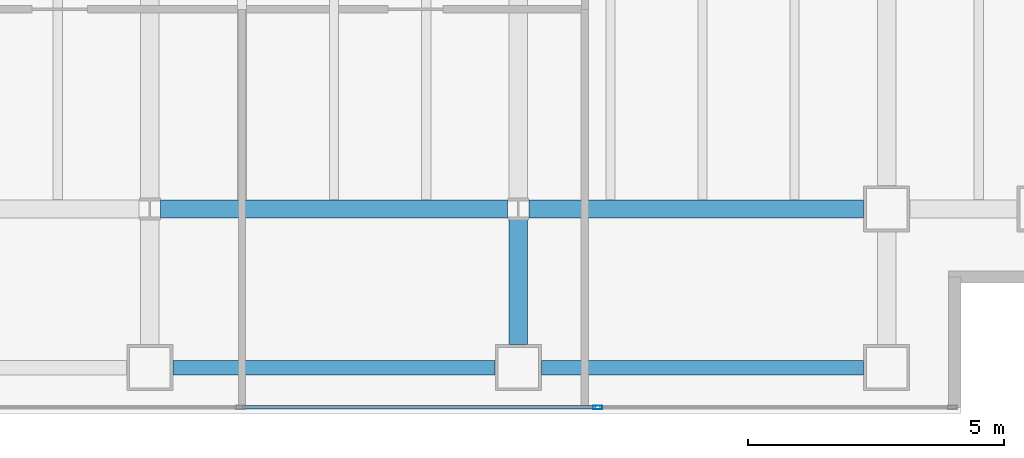
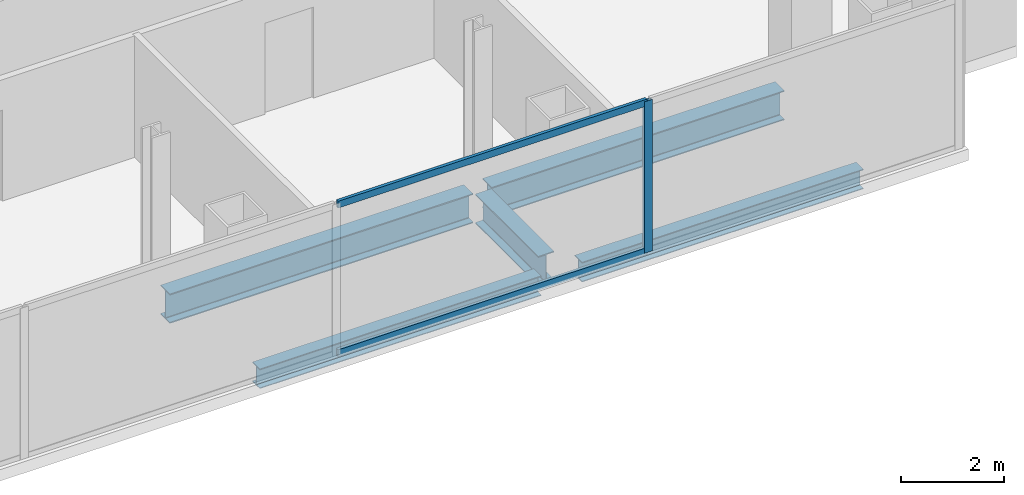
# One storey, part 9 of 23: 5 beams, 3 members, 1 element without a shape of its own.
"""IFC4 building model written with IfcOpenShell, lengths in metres."""

from ifc_helpers import new_model, si_unit, direction, frame, origin, origin_2d, place, context, subcontext, project, spatial, hollow_rectangle, i_section, extrude, material, material_profile, profile_set, type_object, element, aggregate, save


model = new_model("IFC4")

# Units and contexts
model_context = context("Model", 3, precision=1e-05, world=origin(), true_north=direction((0.0, 1.0)))
body_context = subcontext(model_context, "Body", "Model", "MODEL_VIEW")
ifc_project = project(units=[si_unit("LENGTHUNIT", "METRE"), si_unit("AREAUNIT", "SQUARE_METRE"), si_unit("VOLUMEUNIT", "CUBIC_METRE"), si_unit("PLANEANGLEUNIT", "RADIAN"), si_unit("MASSUNIT", "GRAM", prefix="KILO")], contexts=[model_context])

# Site, building, storey
site_placement = place(None, origin())
site = spatial("IfcSite", under=ifc_project, at=site_placement, CompositionType="ELEMENT")
building_placement = place(site_placement, origin())
building = spatial("IfcBuilding", under=site, at=building_placement, Name="Cobrela Telecom Tower", CompositionType="ELEMENT")
storey_placement = place(building_placement, frame((0.0, 0.0, 133.0)))
storey = spatial("IfcBuildingStorey", under=building, at=storey_placement, Name="L33", CompositionType="ELEMENT", Elevation=133.0)

# Beams
ifc_material_1 = material(Name="Steel ASTM A992 Grade 50", Category="steel")
ifc_material_profile_1 = material_profile(ifc_material_1, i_section(OverallWidth=0.35595703125, OverallDepth=0.696044921875, WebThickness=0.015380859375, FlangeThickness=0.024658203125, FilletRadius=0.01806640625, at=origin_2d()), Name="W27X146")
ifc_profile_set_1 = profile_set([ifc_material_profile_1], Name="Steel ASTM A992 Grade 50")
beam_type_1 = type_object("IfcBeamType", Name="BM-GIRD-05", PredefinedType="USERDEFINED", material=ifc_profile_set_1)
beam_1_placement = place(storey_placement, frame((29.009521484375, 7.199951171875, -0.617919921875), z_axis=(1.0, 0.0, 0.0), x_axis=(0.0, 1.0, 0.0)))
element("IfcBeam", 1, at=beam_1_placement, inside=storey, type_object=beam_type_1, Name="L33 Primary Girder X10", ObjectType="GIRDER", PredefinedType="USERDEFINED", context=body_context, shape_type="SweptSolid", body=[
    extrude(i_section(OverallWidth=0.35595703125, OverallDepth=0.696044921875, WebThickness=0.015380859375, FlangeThickness=0.024658203125, FilletRadius=0.01806640625, at=origin_2d()), origin(), (0.0, 0.0, 1.0), 6.781005859375),
])
beam_2_placement = place(storey_placement, frame((36.20947265625, 7.199951171875, -0.617919921875), z_axis=(1.0, 0.0, 0.0), x_axis=(0.0, 1.0, 0.0)))
element("IfcBeam", 2, at=beam_2_placement, inside=storey, type_object=beam_type_1, Name="L33 Primary Girder X11", ObjectType="GIRDER", PredefinedType="USERDEFINED", context=body_context, shape_type="SweptSolid", body=[
    extrude(i_section(OverallWidth=0.35595703125, OverallDepth=0.696044921875, WebThickness=0.015380859375, FlangeThickness=0.024658203125, FilletRadius=0.01806640625, at=origin_2d()), origin(), (0.0, 0.0, 1.0), 6.53564453125),
])
beam_3_placement = place(storey_placement, frame((36.0, 4.554931640625, -0.617919921875), z_axis=(0.0, 1.0, 0.0), x_axis=(-1.0, 0.0, 0.0)))
element("IfcBeam", 3, at=beam_3_placement, inside=storey, type_object=beam_type_1, Name="L33 Primary Girder Y49", ObjectType="GIRDER", PredefinedType="USERDEFINED", context=body_context, shape_type="SweptSolid", body=[
    extrude(i_section(OverallWidth=0.35595703125, OverallDepth=0.696044921875, WebThickness=0.015380859375, FlangeThickness=0.024658203125, FilletRadius=0.01806640625, at=origin_2d()), origin(), (0.0, 0.0, 1.0), 2.435546875),
])
ifc_material_profile_2 = material_profile(ifc_material_1, i_section(OverallWidth=0.281982421875, OverallDepth=0.467041015625, WebThickness=0.01220703125, FlangeThickness=0.01953125, FilletRadius=0.012939453125, at=origin_2d()), Name="W18X86")
ifc_profile_set_2 = profile_set([ifc_material_profile_2], Name="Steel ASTM A992 Grade 50")
beam_type_2 = type_object("IfcBeamType", Name="BM-SPAND-04", PredefinedType="SPANDREL", material=ifc_profile_set_2)
for number, where, z_axis, x_axis, name in (
    (4, (29.2548828125, 4.10009765625, -0.50341796875), (1.0, 0.0, 0.0), (0.0, 1.0, 0.0), "L33 Perimeter Spandrel X04"),
    (5, (36.455078125, 4.10009765625, -0.50341796875), (1.0, 0.0, 0.0), (0.0, 1.0, 0.0), "L33 Perimeter Spandrel X05"),
):
    element("IfcBeam", number, at=place(storey_placement, frame(where, z_axis=z_axis, x_axis=x_axis)), inside=storey, type_object=beam_type_2, Name=name, PredefinedType="SPANDREL", context=body_context, shape_type="SweptSolid", body=[
        extrude(i_section(OverallWidth=0.281982421875, OverallDepth=0.467041015625, WebThickness=0.01220703125, FlangeThickness=0.01953125, FilletRadius=0.012939453125, at=origin_2d()), origin(), (0.0, 0.0, 1.0), 6.2900390625),
    ])

# Curtain wall, members
ifc_material_2 = material(Name="Anodized Bronze Aluminium 6063-T6", Category="aluminium")
curtain_wall_type = type_object("IfcCurtainWallType", Name="CW-SYS-TEL", PredefinedType="USERDEFINED", material=ifc_material_2)
curtain_wall_placement = place(storey_placement, origin())
curtain_wall = element("IfcCurtainWall", 6, at=curtain_wall_placement, inside=storey, type_object=curtain_wall_type, Name="L33 Unitised Bronze Curtain Wall 17", ObjectType="UNITISED CURTAIN WALL", PredefinedType="USERDEFINED")
ifc_material_profile_3 = material_profile(ifc_material_2, hollow_rectangle(XDim=0.074951171875, YDim=0.179931640625, WallThickness=0.00390625, at=origin_2d()), Name="ALU 75x180x4")
ifc_profile_set_3 = profile_set([ifc_material_profile_3], Name="Anodized Bronze Aluminium 6063-T6")
member_type_1 = type_object("IfcMemberType", Name="CW-SYS-TEL-MUL", PredefinedType="MULLION", material=ifc_profile_set_3)
member_1_placement = place(storey_placement, frame((37.55322265625, 3.320068359375, 0.0), z_axis=(0.0, 0.0, 1.0), x_axis=(0.0, -1.0, 0.0)))
member_1 = element("IfcMember", 7, at=member_1_placement, type_object=member_type_1, Name="CW-TEL mullion 2", PredefinedType="MULLION", context=body_context, shape_type="SweptSolid", body=[
    extrude(hollow_rectangle(XDim=0.074951171875, YDim=0.179931640625, WallThickness=0.00390625, at=origin_2d()), origin(), (0.0, 0.0, 1.0), 3.580078125),
])
ifc_material_profile_4 = material_profile(ifc_material_2, hollow_rectangle(XDim=0.070068359375, YDim=0.159912109375, WallThickness=0.00390625, at=origin_2d()), Name="ALU 70x160x4")
ifc_profile_set_4 = profile_set([ifc_material_profile_4], Name="Anodized Bronze Aluminium 6063-T6")
member_type_2 = type_object("IfcMemberType", Name="CW-SYS-TEL-TRN", PredefinedType="USERDEFINED", material=ifc_profile_set_4)
member_2_placement = place(storey_placement, frame((37.515869140625, 3.320068359375, 0.034912109375), z_axis=(-1.0, 0.0, 0.0), x_axis=(0.0, -1.0, 0.0)))
member_2 = element("IfcMember", 8, at=member_2_placement, type_object=member_type_2, Name="CW-TEL transom 2.1", ObjectType="TRANSOM", PredefinedType="USERDEFINED", context=body_context, shape_type="SweptSolid", body=[
    extrude(hollow_rectangle(XDim=0.070068359375, YDim=0.159912109375, WallThickness=0.00390625, at=origin_2d()), origin(), (0.0, 0.0, 1.0), 6.901611328125),
])
member_3_placement = place(storey_placement, frame((37.515869140625, 3.320068359375, 3.544921875), z_axis=(-1.0, 0.0, 0.0), x_axis=(0.0, -1.0, 0.0)))
member_3 = element("IfcMember", 9, at=member_3_placement, type_object=member_type_2, Name="CW-TEL transom 2.2", ObjectType="TRANSOM", PredefinedType="USERDEFINED", context=body_context, shape_type="SweptSolid", body=[
    extrude(hollow_rectangle(XDim=0.070068359375, YDim=0.159912109375, WallThickness=0.00390625, at=origin_2d()), origin(), (0.0, 0.0, 1.0), 6.901611328125),
])
aggregate(curtain_wall, [member_1, member_2, member_3])

save(model, "model.ifc")
